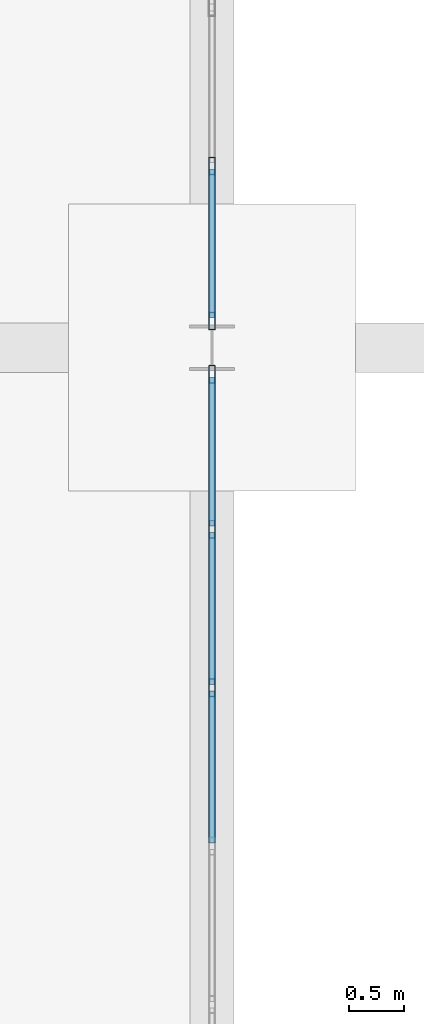
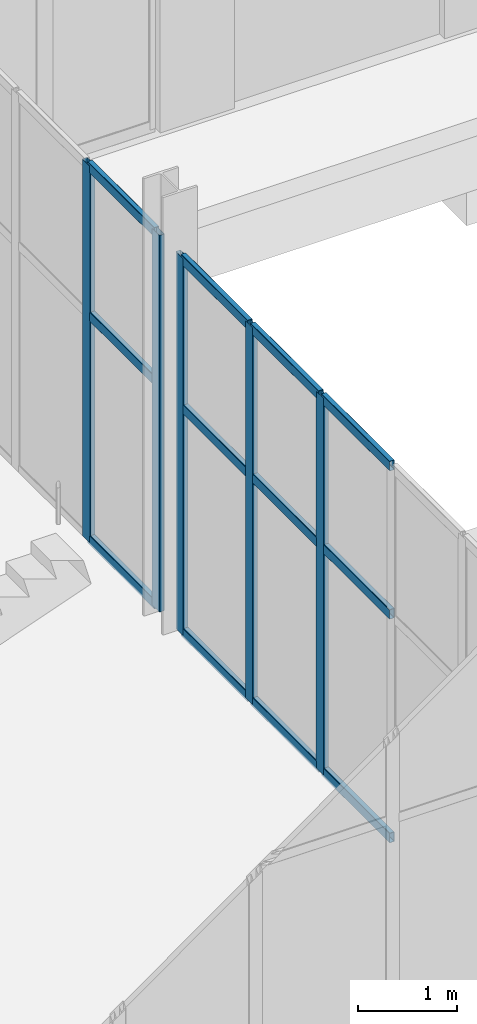
# One storey, part 35 of 95: 17 members, 2 elements without a shape of their own.
"""IFC4 building model written with IfcOpenShell, lengths in metres."""

from ifc_helpers import new_model, si_unit, direction, frame, origin, origin_2d, place, context, subcontext, project, spatial, hollow_rectangle, extrude, material, material_profile, profile_set, type_object, element, aggregate, save


model = new_model("IFC4")

# Units and contexts
model_context = context("Model", 3, precision=1e-05, world=origin(), true_north=direction((0.0, 1.0)))
body_context = subcontext(model_context, "Body", "Model", "MODEL_VIEW")
ifc_project = project(units=[si_unit("LENGTHUNIT", "METRE"), si_unit("AREAUNIT", "SQUARE_METRE"), si_unit("VOLUMEUNIT", "CUBIC_METRE"), si_unit("PLANEANGLEUNIT", "RADIAN"), si_unit("MASSUNIT", "GRAM", prefix="KILO")], contexts=[model_context])

# Site, building, storey
site_placement = place(None, origin())
site = spatial("IfcSite", under=ifc_project, at=site_placement, CompositionType="ELEMENT")
building_placement = place(site_placement, origin())
building = spatial("IfcBuilding", under=site, at=building_placement, Name="Shengluoqiao Park Theatre", CompositionType="ELEMENT")
storey_placement = place(building_placement, origin())
storey = spatial("IfcBuildingStorey", under=building, at=storey_placement, Name="L00", CompositionType="ELEMENT", Elevation=0.0)

# Curtain wall, members
ifc_material = material(Name="Aluminium 6063-T6", Category="aluminium")
curtain_wall_type = type_object("IfcCurtainWallType", Name="ENV-CW-COURT", PredefinedType="NOTDEFINED", material=ifc_material)
curtain_wall_1_placement = place(storey_placement, origin())
curtain_wall_1 = element("IfcCurtainWall", 1, at=curtain_wall_1_placement, inside=storey, type_object=curtain_wall_type, Name="L00 Curtain Wall CWX-L00-0210", PredefinedType="NOTDEFINED")
ifc_material_profile_1 = material_profile(ifc_material, hollow_rectangle(XDim=0.06005859375, YDim=0.159912109375, WallThickness=0.00390625, InnerFilletRadius=0.00390625, OuterFilletRadius=0.008056640625, at=origin_2d()), Name="ALU MULLION 160x60x4")
ifc_profile_set_1 = profile_set([ifc_material_profile_1], Name="Aluminium 6063-T6")
member_type_1 = type_object("IfcMemberType", Name="ENV-MUL-160", PredefinedType="MULLION", material=ifc_profile_set_1)
member_1_placement = place(storey_placement, frame((44.39990234375, 57.7177734375, 0.0), z_axis=(0.0, 0.0, 1.0), x_axis=(-1.0, 0.0, 0.0)))
member_1 = element("IfcMember", 2, at=member_1_placement, type_object=member_type_1, Name="CW-05 mullion 4", PredefinedType="MULLION", context=body_context, shape_type="SweptSolid", body=[
    extrude(hollow_rectangle(XDim=0.06005859375, YDim=0.159912109375, WallThickness=0.00390625, InnerFilletRadius=0.00390625, OuterFilletRadius=0.008056640625, at=origin_2d()), origin(), (0.0, 0.0, 1.0), 4.64990234375),
])
member_2_placement = place(storey_placement, frame((44.39990234375, 59.1533203125, 0.0), z_axis=(0.0, 0.0, 1.0), x_axis=(-1.0, 0.0, 0.0)))
member_2 = element("IfcMember", 3, at=member_2_placement, type_object=member_type_1, Name="CW-05 mullion 5", PredefinedType="MULLION", context=body_context, shape_type="SweptSolid", body=[
    extrude(hollow_rectangle(XDim=0.06005859375, YDim=0.159912109375, WallThickness=0.00390625, InnerFilletRadius=0.00390625, OuterFilletRadius=0.008056640625, at=origin_2d()), origin(), (0.0, 0.0, 1.0), 4.64990234375),
])
member_3_placement = place(storey_placement, frame((44.39990234375, 60.55908203125, 0.0), z_axis=(0.0, 0.0, 1.0), x_axis=(-1.0, 0.0, 0.0)))
member_3 = element("IfcMember", 4, at=member_3_placement, type_object=member_type_1, Name="CW-05 mullion 6", PredefinedType="MULLION", context=body_context, shape_type="SweptSolid", body=[
    extrude(hollow_rectangle(XDim=0.06005859375, YDim=0.159912109375, WallThickness=0.00390625, InnerFilletRadius=0.00390625, OuterFilletRadius=0.008056640625, at=origin_2d()), origin(), (0.0, 0.0, 1.0), 4.64990234375),
])

curtain_wall_2_placement = place(storey_placement, origin())
curtain_wall_2 = element("IfcCurtainWall", 5, at=curtain_wall_2_placement, inside=storey, type_object=curtain_wall_type, Name="L00 Curtain Wall CWX-L00-0211", PredefinedType="NOTDEFINED")
member_4_placement = place(storey_placement, frame((44.39990234375, 61.041015625, 0.0), z_axis=(0.0, 0.0, 1.0), x_axis=(-1.0, 0.0, 0.0)))
member_4 = element("IfcMember", 6, at=member_4_placement, type_object=member_type_1, Name="CW-05 mullion 1", PredefinedType="MULLION", context=body_context, shape_type="SweptSolid", body=[
    extrude(hollow_rectangle(XDim=0.06005859375, YDim=0.159912109375, WallThickness=0.00390625, InnerFilletRadius=0.00390625, OuterFilletRadius=0.008056640625, at=origin_2d()), origin(), (0.0, 0.0, 1.0), 4.64990234375),
])
member_5_placement = place(storey_placement, frame((44.39990234375, 62.446533203125, 0.0), z_axis=(0.0, 0.0, 1.0), x_axis=(-1.0, 0.0, 0.0)))
member_5 = element("IfcMember", 7, at=member_5_placement, type_object=member_type_1, Name="CW-05 mullion 2", PredefinedType="MULLION", context=body_context, shape_type="SweptSolid", body=[
    extrude(hollow_rectangle(XDim=0.06005859375, YDim=0.159912109375, WallThickness=0.00390625, InnerFilletRadius=0.00390625, OuterFilletRadius=0.008056640625, at=origin_2d()), origin(), (0.0, 0.0, 1.0), 4.64990234375),
])

# Member
ifc_material_profile_2 = material_profile(ifc_material, hollow_rectangle(XDim=0.06005859375, YDim=0.1201171875, WallThickness=0.00390625, InnerFilletRadius=0.00390625, OuterFilletRadius=0.008056640625, at=origin_2d()), Name="ALU TRANSOM 120x60x4")
ifc_profile_set_2 = profile_set([ifc_material_profile_2], Name="Aluminium 6063-T6")
member_type_2 = type_object("IfcMemberType", Name="ENV-TRN-120", PredefinedType="USERDEFINED", material=ifc_profile_set_2)
member_6_placement = place(storey_placement, frame((44.39990234375, 56.312255859375, 0.030029296875), z_axis=(0.0, 1.0, 0.0), x_axis=(-1.0, 0.0, 0.0)))
member_6 = element("IfcMember", 8, at=member_6_placement, type_object=member_type_2, Name="CW-05 transom 3.1", ObjectType="TRANSOM", PredefinedType="USERDEFINED", context=body_context, shape_type="SweptSolid", body=[
    extrude(hollow_rectangle(XDim=0.06005859375, YDim=0.1201171875, WallThickness=0.00390625, InnerFilletRadius=0.00390625, OuterFilletRadius=0.008056640625, at=origin_2d()), origin(), (0.0, 0.0, 1.0), 1.37548828125),
])

member_7_placement = place(storey_placement, frame((44.39990234375, 56.312255859375, 2.7900390625), z_axis=(0.0, 1.0, 0.0), x_axis=(-1.0, 0.0, 0.0)))
member_7 = element("IfcMember", 9, at=member_7_placement, type_object=member_type_2, Name="CW-05 transom 3.2", ObjectType="TRANSOM", PredefinedType="USERDEFINED", context=body_context, shape_type="SweptSolid", body=[
    extrude(hollow_rectangle(XDim=0.06005859375, YDim=0.1201171875, WallThickness=0.00390625, InnerFilletRadius=0.00390625, OuterFilletRadius=0.008056640625, at=origin_2d()), origin(), (0.0, 0.0, 1.0), 1.37548828125),
])

member_8_placement = place(storey_placement, frame((44.39990234375, 56.312255859375, 4.6201171875), z_axis=(0.0, 1.0, 0.0), x_axis=(-1.0, 0.0, 0.0)))
member_8 = element("IfcMember", 10, at=member_8_placement, type_object=member_type_2, Name="CW-05 transom 3.3", ObjectType="TRANSOM", PredefinedType="USERDEFINED", context=body_context, shape_type="SweptSolid", body=[
    extrude(hollow_rectangle(XDim=0.06005859375, YDim=0.1201171875, WallThickness=0.00390625, InnerFilletRadius=0.00390625, OuterFilletRadius=0.008056640625, at=origin_2d()), origin(), (0.0, 0.0, 1.0), 1.37548828125),
])

member_9_placement = place(storey_placement, frame((44.39990234375, 57.747802734375, 0.030029296875), z_axis=(0.0, 1.0, 0.0), x_axis=(-1.0, 0.0, 0.0)))
member_9 = element("IfcMember", 11, at=member_9_placement, type_object=member_type_2, Name="CW-05 transom 4.1", ObjectType="TRANSOM", PredefinedType="USERDEFINED", context=body_context, shape_type="SweptSolid", body=[
    extrude(hollow_rectangle(XDim=0.06005859375, YDim=0.1201171875, WallThickness=0.00390625, InnerFilletRadius=0.00390625, OuterFilletRadius=0.008056640625, at=origin_2d()), origin(), (0.0, 0.0, 1.0), 1.37548828125),
])

member_10_placement = place(storey_placement, frame((44.39990234375, 57.747802734375, 2.7900390625), z_axis=(0.0, 1.0, 0.0), x_axis=(-1.0, 0.0, 0.0)))
member_10 = element("IfcMember", 12, at=member_10_placement, type_object=member_type_2, Name="CW-05 transom 4.2", ObjectType="TRANSOM", PredefinedType="USERDEFINED", context=body_context, shape_type="SweptSolid", body=[
    extrude(hollow_rectangle(XDim=0.06005859375, YDim=0.1201171875, WallThickness=0.00390625, InnerFilletRadius=0.00390625, OuterFilletRadius=0.008056640625, at=origin_2d()), origin(), (0.0, 0.0, 1.0), 1.37548828125),
])

member_11_placement = place(storey_placement, frame((44.39990234375, 57.747802734375, 4.6201171875), z_axis=(0.0, 1.0, 0.0), x_axis=(-1.0, 0.0, 0.0)))
member_11 = element("IfcMember", 13, at=member_11_placement, type_object=member_type_2, Name="CW-05 transom 4.3", ObjectType="TRANSOM", PredefinedType="USERDEFINED", context=body_context, shape_type="SweptSolid", body=[
    extrude(hollow_rectangle(XDim=0.06005859375, YDim=0.1201171875, WallThickness=0.00390625, InnerFilletRadius=0.00390625, OuterFilletRadius=0.008056640625, at=origin_2d()), origin(), (0.0, 0.0, 1.0), 1.37548828125),
])

member_12_placement = place(storey_placement, frame((44.39990234375, 59.183349609375, 0.030029296875), z_axis=(0.0, 1.0, 0.0), x_axis=(-1.0, 0.0, 0.0)))
member_12 = element("IfcMember", 14, at=member_12_placement, type_object=member_type_2, Name="CW-05 transom 5.1", ObjectType="TRANSOM", PredefinedType="USERDEFINED", context=body_context, shape_type="SweptSolid", body=[
    extrude(hollow_rectangle(XDim=0.06005859375, YDim=0.1201171875, WallThickness=0.00390625, InnerFilletRadius=0.00390625, OuterFilletRadius=0.008056640625, at=origin_2d()), origin(), (0.0, 0.0, 1.0), 1.345703125),
])

member_13_placement = place(storey_placement, frame((44.39990234375, 59.183349609375, 2.7900390625), z_axis=(0.0, 1.0, 0.0), x_axis=(-1.0, 0.0, 0.0)))
member_13 = element("IfcMember", 15, at=member_13_placement, type_object=member_type_2, Name="CW-05 transom 5.2", ObjectType="TRANSOM", PredefinedType="USERDEFINED", context=body_context, shape_type="SweptSolid", body=[
    extrude(hollow_rectangle(XDim=0.06005859375, YDim=0.1201171875, WallThickness=0.00390625, InnerFilletRadius=0.00390625, OuterFilletRadius=0.008056640625, at=origin_2d()), origin(), (0.0, 0.0, 1.0), 1.345703125),
])

member_14_placement = place(storey_placement, frame((44.39990234375, 59.183349609375, 4.6201171875), z_axis=(0.0, 1.0, 0.0), x_axis=(-1.0, 0.0, 0.0)))
member_14 = element("IfcMember", 16, at=member_14_placement, type_object=member_type_2, Name="CW-05 transom 5.3", ObjectType="TRANSOM", PredefinedType="USERDEFINED", context=body_context, shape_type="SweptSolid", body=[
    extrude(hollow_rectangle(XDim=0.06005859375, YDim=0.1201171875, WallThickness=0.00390625, InnerFilletRadius=0.00390625, OuterFilletRadius=0.008056640625, at=origin_2d()), origin(), (0.0, 0.0, 1.0), 1.345703125),
])

aggregate(curtain_wall_1, [member_1, member_2, member_3, member_6, member_7, member_8, member_9, member_10, member_11, member_12, member_13, member_14])

member_15_placement = place(storey_placement, frame((44.39990234375, 61.071044921875, 0.030029296875), z_axis=(0.0, 1.0, 0.0), x_axis=(-1.0, 0.0, 0.0)))
member_15 = element("IfcMember", 17, at=member_15_placement, type_object=member_type_2, Name="CW-05 transom 1.1", ObjectType="TRANSOM", PredefinedType="USERDEFINED", context=body_context, shape_type="SweptSolid", body=[
    extrude(hollow_rectangle(XDim=0.06005859375, YDim=0.1201171875, WallThickness=0.00390625, InnerFilletRadius=0.00390625, OuterFilletRadius=0.008056640625, at=origin_2d()), origin(), (0.0, 0.0, 1.0), 1.345458984375),
])

member_16_placement = place(storey_placement, frame((44.39990234375, 61.071044921875, 2.7900390625), z_axis=(0.0, 1.0, 0.0), x_axis=(-1.0, 0.0, 0.0)))
member_16 = element("IfcMember", 18, at=member_16_placement, type_object=member_type_2, Name="CW-05 transom 1.2", ObjectType="TRANSOM", PredefinedType="USERDEFINED", context=body_context, shape_type="SweptSolid", body=[
    extrude(hollow_rectangle(XDim=0.06005859375, YDim=0.1201171875, WallThickness=0.00390625, InnerFilletRadius=0.00390625, OuterFilletRadius=0.008056640625, at=origin_2d()), origin(), (0.0, 0.0, 1.0), 1.345458984375),
])

member_17_placement = place(storey_placement, frame((44.39990234375, 61.071044921875, 4.6201171875), z_axis=(0.0, 1.0, 0.0), x_axis=(-1.0, 0.0, 0.0)))
member_17 = element("IfcMember", 19, at=member_17_placement, type_object=member_type_2, Name="CW-05 transom 1.3", ObjectType="TRANSOM", PredefinedType="USERDEFINED", context=body_context, shape_type="SweptSolid", body=[
    extrude(hollow_rectangle(XDim=0.06005859375, YDim=0.1201171875, WallThickness=0.00390625, InnerFilletRadius=0.00390625, OuterFilletRadius=0.008056640625, at=origin_2d()), origin(), (0.0, 0.0, 1.0), 1.345458984375),
])

aggregate(curtain_wall_2, [member_4, member_5, member_15, member_16, member_17])

save(model, "model.ifc")
